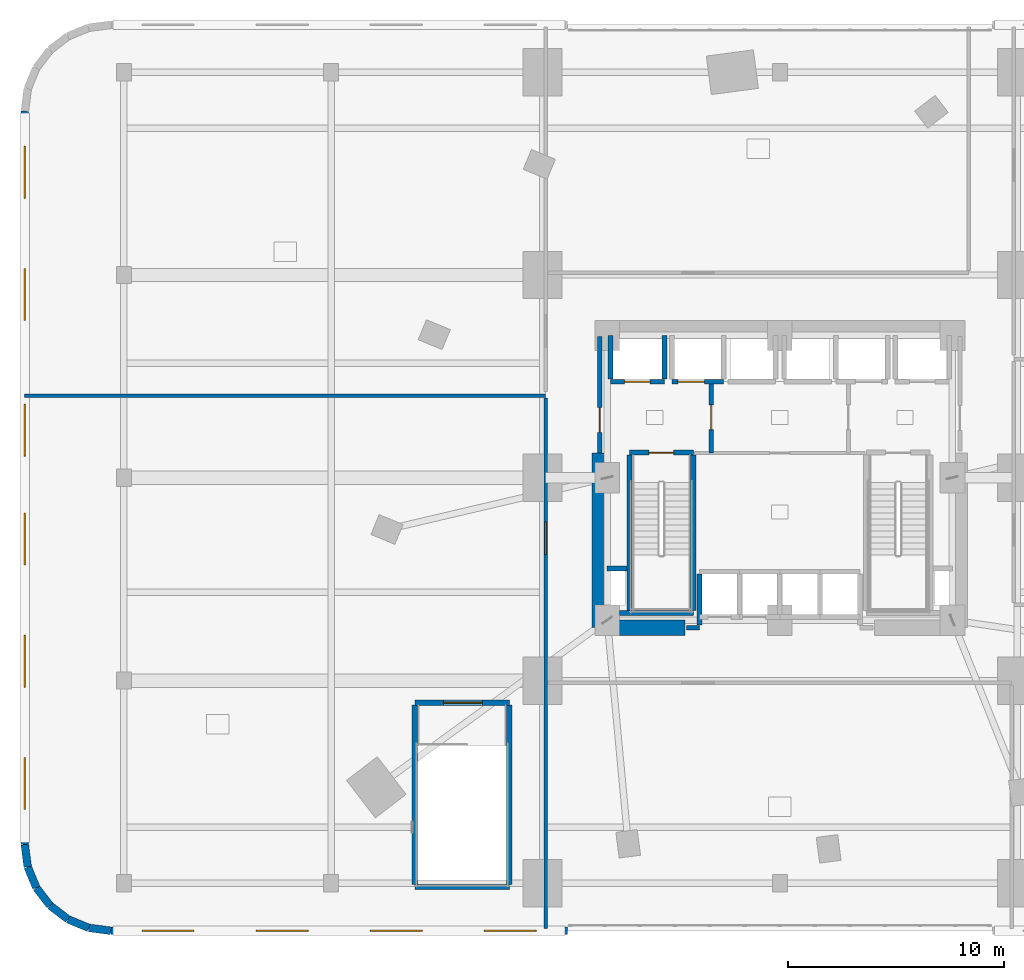
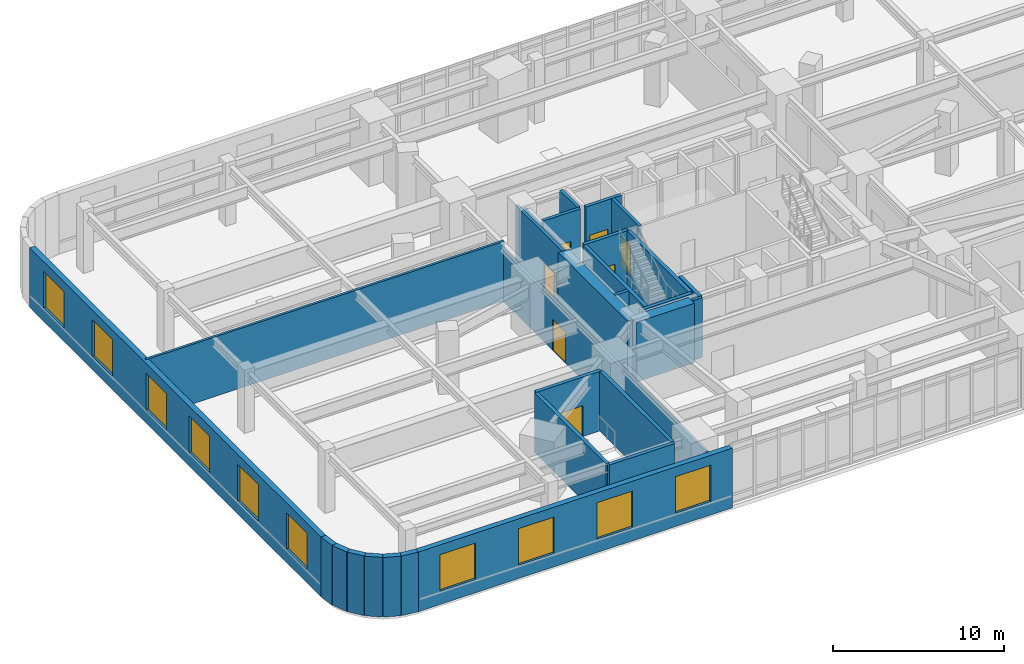
# One storey, part 14 of 20: 29 walls, 10 windows, 7 doors, 17 openings.
"""IFC4 building model written with IfcOpenShell, lengths in metres."""

import ifcopenshell
import ifcopenshell.guid

model = None  # the IFC model being written
_history = None  # IfcOwnerHistory: only IFC2X3 demands one
_inside = {}  # id of a spatial element -> (the spatial element, [elements in it])
_under = {}  # id of a project, library or spatial element -> (it, [spatial elements below it])
_declared = {}  # id of a project -> (the project, [libraries it declares])
_typed = {}  # id of a type object -> (the type object, [elements of that type])
_made_of = {}  # id of a material, layer set ... -> (it, [elements and type objects made of it])


def new_model(schema):
    """Start an empty IFC model of exactly this schema.

    Asked for "IFC4X3", IfcOpenShell would pick the latest addendum, in which some entities
    have other attributes; the version numbers below select the first issue.
    IFC2X3 requires an IfcOwnerHistory on every rooted entity: one is made here for all.
    """
    global model, _history
    if schema == "IFC4X3":
        model = ifcopenshell.file(schema_version=(4, 3, 0, 0))
    else:
        model = ifcopenshell.file(schema=schema)
    _inside.clear()
    _under.clear()
    _declared.clear()
    _typed.clear()
    _made_of.clear()
    _history = None
    if model.schema == "IFC2X3":
        org = make("IfcOrganization", Name="unknown")
        user = make(
            "IfcPersonAndOrganization",
            ThePerson=make("IfcPerson", FamilyName="unknown"),
            TheOrganization=org,
        )
        app = make(
            "IfcApplication",
            ApplicationDeveloper=org,
            Version="unknown",
            ApplicationFullName="unknown",
            ApplicationIdentifier="unknown",
        )
        _history = make(
            "IfcOwnerHistory",
            OwningUser=user,
            OwningApplication=app,
            ChangeAction="ADDED",
            CreationDate=0,
        )
    return model


def make(cls, **values):
    """One entity of the class cls with the attributes given. An attribute that is None is left unset."""
    return model.create_entity(
        cls, **{name: value for name, value in values.items() if value is not None}
    )


def rooted(cls, **values):
    """An entity with a GlobalId (a new one), such as an element, a storey or a relation."""
    return make(cls, GlobalId=ifcopenshell.guid.new(), OwnerHistory=_history, **values)


def si_unit(unit_type, name, prefix=None):
    """IfcSIUnit, for example si_unit("LENGTHUNIT", "METRE", prefix="MILLI")."""
    return make("IfcSIUnit", UnitType=unit_type, Prefix=prefix, Name=name)


def assignment(units):
    """IfcUnitAssignment: the units of a project."""
    return None if units is None else make("IfcUnitAssignment", Units=units)


def point(xyz):
    """IfcCartesianPoint."""
    return None if xyz is None else make("IfcCartesianPoint", Coordinates=xyz)


def direction(xyz):
    """IfcDirection."""
    return None if xyz is None else make("IfcDirection", DirectionRatios=xyz)


def frame(location, z_axis=None, x_axis=None):
    """IfcAxis2Placement3D, a coordinate frame: its origin and axes. An axis left out is left unset."""
    return make(
        "IfcAxis2Placement3D",
        Location=point(location),
        Axis=direction(z_axis),
        RefDirection=direction(x_axis),
    )


def frame_2d(location, x_axis=None):
    """IfcAxis2Placement2D, a coordinate frame in the plane: its origin and x axis."""
    return make(
        "IfcAxis2Placement2D", Location=point(location), RefDirection=direction(x_axis)
    )


def origin():
    """The frame at (0, 0, 0) with its axes left unset."""
    return frame((0.0, 0.0, 0.0))


def place(relative_to, where):
    """IfcLocalPlacement: puts the frame where relative to a parent placement (None: the world)."""
    return make(
        "IfcLocalPlacement", PlacementRelTo=relative_to, RelativePlacement=where
    )


def context(
    kind, dimensions, precision=None, world=None, true_north=None, identifier=None
):
    """IfcGeometricRepresentationContext, for example the 3D "Model" context."""
    return make(
        "IfcGeometricRepresentationContext",
        ContextIdentifier=identifier,
        ContextType=kind,
        CoordinateSpaceDimension=dimensions,
        Precision=precision,
        WorldCoordinateSystem=world,
        TrueNorth=true_north,
    )


def subcontext(parent, identifier, kind, view, scale=None):
    """IfcGeometricRepresentationSubContext, for example "Body" below "Model"."""
    return make(
        "IfcGeometricRepresentationSubContext",
        ContextIdentifier=identifier,
        ContextType=kind,
        ParentContext=parent,
        TargetScale=scale,
        TargetView=view,
    )


def project(units=None, contexts=None):
    """IfcProject with its units and contexts."""
    return rooted(
        "IfcProject",
        Name="project",
        RepresentationContexts=contexts,
        UnitsInContext=assignment(units),
    )


def spatial(cls, under=None, at=None, **own):
    """A site, building, storey or space (cls), placed at a placement, below another one or the project."""
    s = rooted(cls, ObjectPlacement=at, **own)
    if under is not None:
        _under.setdefault(under.id(), (under, []))[1].append(s)
    return s


def profile(cls, at=None, kind="AREA", **sizes):
    """A parametric profile (cls). Its sizes go by their IFC names, for example OverallWidth=200.0."""
    return make(cls, ProfileType=kind, Position=at, **sizes)


def rectangle(**sizes):
    """IfcRectangleProfileDef."""
    return profile("IfcRectangleProfileDef", **sizes)


def extrude(swept, where, along, depth):
    """IfcExtrudedAreaSolid: the profile swept, set in the frame where, extruded along a direction by depth."""
    return make(
        "IfcExtrudedAreaSolid",
        SweptArea=swept,
        Position=where,
        ExtrudedDirection=direction(along),
        Depth=depth,
    )


def shape(context_of_items, identifier, shape_type, items):
    """IfcShapeRepresentation: the items that make up one representation, for example the "Body"."""
    return make(
        "IfcShapeRepresentation",
        ContextOfItems=context_of_items,
        RepresentationIdentifier=identifier,
        RepresentationType=shape_type,
        Items=items,
    )


def material(Name=None, Category=None):
    """IfcMaterial."""
    return make("IfcMaterial", Name=Name, Category=Category)


def layer(
    of_material, thickness, ventilated=None, Name=None, Category=None, Priority=None
):
    """IfcMaterialLayer: one layer of a wall or slab, of a material (None: an air gap)."""
    return make(
        "IfcMaterialLayer",
        Material=of_material,
        LayerThickness=thickness,
        IsVentilated=ventilated,
        Name=Name,
        Category=Category,
        Priority=Priority,
    )


def layer_set(layers, Name=None):
    """IfcMaterialLayerSet."""
    return make("IfcMaterialLayerSet", MaterialLayers=layers, LayerSetName=Name)


def made_of(thing, what):
    """Note that an element or type object is made of a material, layer set ...; save() writes the relation."""
    if what is not None:
        _made_of.setdefault(what.id(), (what, []))[1].append(thing)
    return thing


def type_object(cls, material=None, **own):
    """A type object (cls), such as IfcWallType, which elements share."""
    return made_of(rooted(cls, **own), material)


def element(
    cls,
    number,
    at=None,
    inside=None,
    cuts=None,
    type_object=None,
    material=None,
    context=None,
    identifier="Body",
    shape_type=None,
    held_by="IfcProductDefinitionShape",
    body=None,
    shapes=None,
    **own,
):
    """One element of the class cls, such as IfcWall. Its Tag is "e" and its number.

    at: its placement. inside: the storey or other place that contains it. cuts: it is an
    opening in that element (IfcRelVoidsElement). A single representation is given by context,
    identifier, shape_type and body (its items); several are given by shapes. held_by: the class
    of the entity that holds the representations. save() writes the other relations.
    """
    e = rooted(cls, Tag="e%d" % number, ObjectPlacement=at, **own)
    if body is not None:
        shapes = [shape(context, identifier, shape_type, body)]
    if shapes is not None:
        e.Representation = make(held_by, Representations=shapes)
    if inside is not None:
        _inside.setdefault(inside.id(), (inside, []))[1].append(e)
    if cuts is not None:
        rooted(
            "IfcRelVoidsElement", RelatingBuildingElement=cuts, RelatedOpeningElement=e
        )
    if type_object is not None:
        _typed.setdefault(type_object.id(), (type_object, []))[1].append(e)
    return made_of(e, material)


def fill(opening, filler):
    """IfcRelFillsElement: the door or window that sits in an opening."""
    return rooted(
        "IfcRelFillsElement",
        RelatingOpeningElement=opening,
        RelatedBuildingElement=filler,
    )


def aggregate(whole, parts):
    """IfcRelAggregates: a whole, such as a stair, and the parts it consists of."""
    return rooted("IfcRelAggregates", RelatingObject=whole, RelatedObjects=parts)


def save(model, path):
    """Write the relations noted so far, then the file.

    IfcRelAggregates (storeys below a building ...), IfcRelContainedInSpatialStructure (elements
    in a storey), IfcRelDefinesByType, IfcRelAssociatesMaterial and IfcRelDeclares: one each for
    every whole, place, type object, material and project.
    """
    for whole, parts in _under.values():
        aggregate(whole, parts)
    for where, things in _inside.values():
        rooted(
            "IfcRelContainedInSpatialStructure",
            RelatedElements=things,
            RelatingStructure=where,
        )
    for kind, things in _typed.values():
        rooted("IfcRelDefinesByType", RelatedObjects=things, RelatingType=kind)
    for what, things in _made_of.values():
        rooted("IfcRelAssociatesMaterial", RelatedObjects=things, RelatingMaterial=what)
    for by, libraries in _declared.values():
        rooted("IfcRelDeclares", RelatingContext=by, RelatedDefinitions=libraries)
    model.write(path)


model = new_model("IFC4")

# Units and contexts
model_context = context("Model", 3, precision=1e-05, world=origin(), true_north=direction((0.0, 1.0)))
body_context = subcontext(model_context, "Body", "Model", "MODEL_VIEW")
ifc_project = project(units=[si_unit("LENGTHUNIT", "METRE"), si_unit("AREAUNIT", "SQUARE_METRE"), si_unit("VOLUMEUNIT", "CUBIC_METRE"), si_unit("PLANEANGLEUNIT", "RADIAN"), si_unit("MASSUNIT", "GRAM", prefix="KILO")], contexts=[model_context])

# Site, building, storey
site_placement = place(None, origin())
site = spatial("IfcSite", under=ifc_project, at=site_placement, CompositionType="ELEMENT")
building_placement = place(site_placement, origin())
building = spatial("IfcBuilding", under=site, at=building_placement, Name="Ndelora Gate Hotel", CompositionType="ELEMENT")
storey_placement = place(building_placement, frame((0.0, 0.0, 26.0)))
storey = spatial("IfcBuildingStorey", under=building, at=storey_placement, Name="L05", CompositionType="ELEMENT", Elevation=26.0)

# Wall, openings, windows
ifc_material_1 = material(Name="Clay Brick Masonry", Category="masonry")
ifc_layer_1 = layer(ifc_material_1, 0.360107421875)
ifc_layer_set_1 = layer_set([ifc_layer_1], Name="Clay Brick Masonry")
wall_type_1 = type_object("IfcWallType", Name="WL-BRICK-360", PredefinedType="SOLIDWALL", material=ifc_layer_set_1)
wall_1_placement = place(storey_placement, frame((-35.0, -17.0, 0.0), z_axis=(0.0, 0.0, 1.0), x_axis=(0.0, 1.0, 0.0)))
wall_1 = element("IfcWall", 1, at=wall_1_placement, inside=storey, type_object=wall_type_1, Name="L05 Exterior Brick Pier-and-Spandrel Wall 22", PredefinedType="SOLIDWALL", context=body_context, shape_type="SweptSolid", body=[
    extrude(rectangle(XDim=34.0, YDim=0.360107421875, at=frame_2d((17.0, 0.0))), origin(), (0.0, 0.0, 1.0), 4.25),
])
opening_1_placement = place(wall_1_placement, frame((1.63330078125, 0.0, 0.949951171875)))
opening_1 = element("IfcOpeningElement", 2, at=opening_1_placement, cuts=wall_1, Name="Opening W04", PredefinedType="OPENING", context=body_context, shape_type="SweptSolid", body=[
    extrude(rectangle(XDim=2.39990234375, YDim=2.60009765625, at=frame_2d((1.199951171875, 1.300048828125))), frame((0.0, 0.18994140625, 0.0), z_axis=(0.0, -1.0, 0.0), x_axis=(1.0, 0.0, 0.0)), (0.0, 0.0, 1.0), 0.380126953125),
])
opening_2_placement = place(wall_1_placement, frame((7.300048828125, 0.0, 0.949951171875)))
opening_2 = element("IfcOpeningElement", 3, at=opening_2_placement, cuts=wall_1, Name="Opening W04", PredefinedType="OPENING", context=body_context, shape_type="SweptSolid", body=[
    extrude(rectangle(XDim=2.39990234375, YDim=2.60009765625, at=frame_2d((1.199951171875, 1.300048828125))), frame((0.0, 0.18994140625, 0.0), z_axis=(0.0, -1.0, 0.0), x_axis=(1.0, 0.0, 0.0)), (0.0, 0.0, 1.0), 0.380126953125),
])
opening_3_placement = place(wall_1_placement, frame((12.966796875, 0.0, 0.949951171875)))
opening_3 = element("IfcOpeningElement", 4, at=opening_3_placement, cuts=wall_1, Name="Opening W04", PredefinedType="OPENING", context=body_context, shape_type="SweptSolid", body=[
    extrude(rectangle(XDim=2.39990234375, YDim=2.60009765625, at=frame_2d((1.199951171875, 1.300048828125))), frame((0.0, 0.18994140625, 0.0), z_axis=(0.0, -1.0, 0.0), x_axis=(1.0, 0.0, 0.0)), (0.0, 0.0, 1.0), 0.380126953125),
])
opening_4_placement = place(wall_1_placement, frame((18.0, 0.0, 0.949951171875)))
opening_4 = element("IfcOpeningElement", 5, at=opening_4_placement, cuts=wall_1, Name="Opening W04", PredefinedType="OPENING", context=body_context, shape_type="SweptSolid", body=[
    extrude(rectangle(XDim=2.39990234375, YDim=2.60009765625, at=frame_2d((1.199951171875, 1.300048828125))), frame((0.0, 0.18994140625, 0.0), z_axis=(0.0, -1.0, 0.0), x_axis=(1.0, 0.0, 0.0)), (0.0, 0.0, 1.0), 0.380126953125),
])
opening_5_placement = place(wall_1_placement, frame((24.300048828125, 0.0, 0.949951171875)))
opening_5 = element("IfcOpeningElement", 6, at=opening_5_placement, cuts=wall_1, Name="Opening W04", PredefinedType="OPENING", context=body_context, shape_type="SweptSolid", body=[
    extrude(rectangle(XDim=2.39990234375, YDim=2.60009765625, at=frame_2d((1.199951171875, 1.300048828125))), frame((0.0, 0.18994140625, 0.0), z_axis=(0.0, -1.0, 0.0), x_axis=(1.0, 0.0, 0.0)), (0.0, 0.0, 1.0), 0.380126953125),
])
opening_6_placement = place(wall_1_placement, frame((29.966796875, 0.0, 0.949951171875)))
opening_6 = element("IfcOpeningElement", 7, at=opening_6_placement, cuts=wall_1, Name="Opening W04", PredefinedType="OPENING", context=body_context, shape_type="SweptSolid", body=[
    extrude(rectangle(XDim=2.39990234375, YDim=2.60009765625, at=frame_2d((1.199951171875, 1.300048828125))), frame((0.0, 0.18994140625, 0.0), z_axis=(0.0, -1.0, 0.0), x_axis=(1.0, 0.0, 0.0)), (0.0, 0.0, 1.0), 0.380126953125),
])
ifc_material_2 = material(Name="Insulated Low-E Double Glazing in Bronze Aluminium Frame", Category="aluminium")
window_type = type_object("IfcWindowType", Name="WN-POD-2400", PartitioningType="SINGLE_PANEL", PredefinedType="WINDOW", material=ifc_material_2)
window_1_placement = place(opening_1_placement, origin())
window_1 = element("IfcWindow", 8, at=window_1_placement, inside=storey, type_object=window_type, Name="L05 Deep-Set Podium Brick-Frame Window W04", OverallHeight=2.60009765625, OverallWidth=2.39990234375, PartitioningType="SINGLE_PANEL", PredefinedType="WINDOW", context=body_context, shape_type="SweptSolid", body=[
    extrude(rectangle(XDim=2.39990234375, YDim=2.60009765625, at=frame_2d((1.199951171875, 1.300048828125))), frame((0.0, 0.030029296875, 0.0), z_axis=(0.0, -1.0, 0.0), x_axis=(1.0, 0.0, 0.0)), (0.0, 0.0, 1.0), 0.06005859375),
])
fill(opening_1, window_1)
window_2_placement = place(opening_2_placement, origin())
window_2 = element("IfcWindow", 9, at=window_2_placement, inside=storey, type_object=window_type, Name="L05 Deep-Set Podium Brick-Frame Window W04", OverallHeight=2.60009765625, OverallWidth=2.39990234375, PartitioningType="SINGLE_PANEL", PredefinedType="WINDOW", context=body_context, shape_type="SweptSolid", body=[
    extrude(rectangle(XDim=2.39990234375, YDim=2.60009765625, at=frame_2d((1.199951171875, 1.300048828125))), frame((0.0, 0.030029296875, 0.0), z_axis=(0.0, -1.0, 0.0), x_axis=(1.0, 0.0, 0.0)), (0.0, 0.0, 1.0), 0.06005859375),
])
fill(opening_2, window_2)
window_3_placement = place(opening_3_placement, origin())
window_3 = element("IfcWindow", 10, at=window_3_placement, inside=storey, type_object=window_type, Name="L05 Deep-Set Podium Brick-Frame Window W04", OverallHeight=2.60009765625, OverallWidth=2.39990234375, PartitioningType="SINGLE_PANEL", PredefinedType="WINDOW", context=body_context, shape_type="SweptSolid", body=[
    extrude(rectangle(XDim=2.39990234375, YDim=2.60009765625, at=frame_2d((1.199951171875, 1.300048828125))), frame((0.0, 0.030029296875, 0.0), z_axis=(0.0, -1.0, 0.0), x_axis=(1.0, 0.0, 0.0)), (0.0, 0.0, 1.0), 0.06005859375),
])
fill(opening_3, window_3)
window_4_placement = place(opening_4_placement, origin())
window_4 = element("IfcWindow", 11, at=window_4_placement, inside=storey, type_object=window_type, Name="L05 Deep-Set Podium Brick-Frame Window W04", OverallHeight=2.60009765625, OverallWidth=2.39990234375, PartitioningType="SINGLE_PANEL", PredefinedType="WINDOW", context=body_context, shape_type="SweptSolid", body=[
    extrude(rectangle(XDim=2.39990234375, YDim=2.60009765625, at=frame_2d((1.199951171875, 1.300048828125))), frame((0.0, 0.030029296875, 0.0), z_axis=(0.0, -1.0, 0.0), x_axis=(1.0, 0.0, 0.0)), (0.0, 0.0, 1.0), 0.06005859375),
])
fill(opening_4, window_4)
window_5_placement = place(opening_5_placement, origin())
window_5 = element("IfcWindow", 12, at=window_5_placement, inside=storey, type_object=window_type, Name="L05 Deep-Set Podium Brick-Frame Window W04", OverallHeight=2.60009765625, OverallWidth=2.39990234375, PartitioningType="SINGLE_PANEL", PredefinedType="WINDOW", context=body_context, shape_type="SweptSolid", body=[
    extrude(rectangle(XDim=2.39990234375, YDim=2.60009765625, at=frame_2d((1.199951171875, 1.300048828125))), frame((0.0, 0.030029296875, 0.0), z_axis=(0.0, -1.0, 0.0), x_axis=(1.0, 0.0, 0.0)), (0.0, 0.0, 1.0), 0.06005859375),
])
fill(opening_5, window_5)
window_6_placement = place(opening_6_placement, origin())
window_6 = element("IfcWindow", 13, at=window_6_placement, inside=storey, type_object=window_type, Name="L05 Deep-Set Podium Brick-Frame Window W04", OverallHeight=2.60009765625, OverallWidth=2.39990234375, PartitioningType="SINGLE_PANEL", PredefinedType="WINDOW", context=body_context, shape_type="SweptSolid", body=[
    extrude(rectangle(XDim=2.39990234375, YDim=2.60009765625, at=frame_2d((1.199951171875, 1.300048828125))), frame((0.0, 0.030029296875, 0.0), z_axis=(0.0, -1.0, 0.0), x_axis=(1.0, 0.0, 0.0)), (0.0, 0.0, 1.0), 0.06005859375),
])
fill(opening_6, window_6)

# Walls
wall_2_placement = place(storey_placement, frame((-34.86376953125, -18.035400390625, 0.0), z_axis=(0.0, 0.0, 1.0), x_axis=(-0.130448465198, 0.991455091231, 0.0)))
element("IfcWall", 14, at=wall_2_placement, inside=storey, type_object=wall_type_1, Name="L05 Exterior Brick Pier-and-Spandrel Wall 23", PredefinedType="SOLIDWALL", context=body_context, shape_type="SweptSolid", body=[
    extrude(rectangle(XDim=1.04443359375, YDim=0.360107421875, at=frame_2d((0.522216796875, 0.0))), origin(), (0.0, 0.0, 1.0), 4.25),
])
for number, where, z_axis, x_axis, name in (
    (15, (-34.464111328125, -19.0, 0.0), (0.0, 0.0, 1.0), (-0.382771688877, 0.923842970528, 0.0), "L05 Exterior Brick Pier-and-Spandrel Wall 24"),
    (16, (-33.828369140625, -19.828369140625, 0.0), (0.0, 0.0, 1.0), (-0.608829050876, 0.793301447628, 0.0), "L05 Exterior Brick Pier-and-Spandrel Wall 25"),
    (17, (-33.0, -20.464111328125, 0.0), (0.0, 0.0, 1.0), (-0.793301447628, 0.608829050876, 0.0), "L05 Exterior Brick Pier-and-Spandrel Wall 26"),
    (18, (-32.035400390625, -20.86376953125, 0.0), (0.0, 0.0, 1.0), (-0.923842970528, 0.382771688877, 0.0), "L05 Exterior Brick Pier-and-Spandrel Wall 27"),
):
    element("IfcWall", number, at=place(storey_placement, frame(where, z_axis=z_axis, x_axis=x_axis)), inside=storey, type_object=wall_type_1, Name=name, PredefinedType="SOLIDWALL", context=body_context, shape_type="SweptSolid", body=[
        extrude(rectangle(XDim=1.044189453125, YDim=0.360107421875, at=frame_2d((0.52197265625, 0.0))), origin(), (0.0, 0.0, 1.0), 4.25),
    ])
wall_3_placement = place(storey_placement, frame((-31.0, -21.0, 0.0), z_axis=(0.0, 0.0, 1.0), x_axis=(-0.991455091231, 0.130448465198, 0.0)))
element("IfcWall", 19, at=wall_3_placement, inside=storey, type_object=wall_type_1, Name="L05 Exterior Brick Pier-and-Spandrel Wall 28", PredefinedType="SOLIDWALL", context=body_context, shape_type="SweptSolid", body=[
    extrude(rectangle(XDim=1.04443359375, YDim=0.360107421875, at=frame_2d((0.522216796875, 0.0))), origin(), (0.0, 0.0, 1.0), 4.25),
])

# Wall, openings, windows
wall_4_placement = place(storey_placement, frame((-9.85009765625, -21.0, 0.0), z_axis=(0.0, 0.0, 1.0), x_axis=(-1.0, 0.0, 0.0)))
wall_4 = element("IfcWall", 20, at=wall_4_placement, inside=storey, type_object=wall_type_1, Name="L05 Exterior Brick Pier-and-Spandrel Wall 29", PredefinedType="SOLIDWALL", context=body_context, shape_type="SweptSolid", body=[
    extrude(rectangle(XDim=21.14990234375, YDim=0.360107421875, at=frame_2d((10.574951171875, 0.0))), origin(), (0.0, 0.0, 1.0), 4.25),
])
opening_7_placement = place(wall_4_placement, frame((1.443603515625, 0.0, 0.949951171875)))
opening_7 = element("IfcOpeningElement", 21, at=opening_7_placement, cuts=wall_4, Name="Opening W04", PredefinedType="OPENING", context=body_context, shape_type="SweptSolid", body=[
    extrude(rectangle(XDim=2.39990234375, YDim=2.60009765625, at=frame_2d((1.199951171875, 1.300048828125))), frame((0.0, 0.18994140625, 0.0), z_axis=(0.0, -1.0, 0.0), x_axis=(1.0, 0.0, 0.0)), (0.0, 0.0, 1.0), 0.380126953125),
])
opening_8_placement = place(wall_4_placement, frame((6.731201171875, 0.0, 0.949951171875)))
opening_8 = element("IfcOpeningElement", 22, at=opening_8_placement, cuts=wall_4, Name="Opening W04", PredefinedType="OPENING", context=body_context, shape_type="SweptSolid", body=[
    extrude(rectangle(XDim=2.39990234375, YDim=2.60009765625, at=frame_2d((1.199951171875, 1.300048828125))), frame((0.0, 0.18994140625, 0.0), z_axis=(0.0, -1.0, 0.0), x_axis=(1.0, 0.0, 0.0)), (0.0, 0.0, 1.0), 0.380126953125),
])
opening_9_placement = place(wall_4_placement, frame((12.018798828125, 0.0, 0.949951171875)))
opening_9 = element("IfcOpeningElement", 23, at=opening_9_placement, cuts=wall_4, Name="Opening W04", PredefinedType="OPENING", context=body_context, shape_type="SweptSolid", body=[
    extrude(rectangle(XDim=2.39990234375, YDim=2.60009765625, at=frame_2d((1.199951171875, 1.300048828125))), frame((0.0, 0.18994140625, 0.0), z_axis=(0.0, -1.0, 0.0), x_axis=(1.0, 0.0, 0.0)), (0.0, 0.0, 1.0), 0.380126953125),
])
opening_10_placement = place(wall_4_placement, frame((17.30615234375, 0.0, 0.949951171875)))
opening_10 = element("IfcOpeningElement", 24, at=opening_10_placement, cuts=wall_4, Name="Opening W04", PredefinedType="OPENING", context=body_context, shape_type="SweptSolid", body=[
    extrude(rectangle(XDim=2.39990234375, YDim=2.60009765625, at=frame_2d((1.199951171875, 1.300048828125))), frame((0.0, 0.18994140625, 0.0), z_axis=(0.0, -1.0, 0.0), x_axis=(1.0, 0.0, 0.0)), (0.0, 0.0, 1.0), 0.380126953125),
])
window_7_placement = place(opening_7_placement, origin())
window_7 = element("IfcWindow", 25, at=window_7_placement, inside=storey, type_object=window_type, Name="L05 Deep-Set Podium Brick-Frame Window W04", OverallHeight=2.60009765625, OverallWidth=2.39990234375, PartitioningType="SINGLE_PANEL", PredefinedType="WINDOW", context=body_context, shape_type="SweptSolid", body=[
    extrude(rectangle(XDim=2.39990234375, YDim=2.60009765625, at=frame_2d((1.199951171875, 1.300048828125))), frame((0.0, 0.030029296875, 0.0), z_axis=(0.0, -1.0, 0.0), x_axis=(1.0, 0.0, 0.0)), (0.0, 0.0, 1.0), 0.06005859375),
])
fill(opening_7, window_7)
window_8_placement = place(opening_8_placement, origin())
window_8 = element("IfcWindow", 26, at=window_8_placement, inside=storey, type_object=window_type, Name="L05 Deep-Set Podium Brick-Frame Window W04", OverallHeight=2.60009765625, OverallWidth=2.39990234375, PartitioningType="SINGLE_PANEL", PredefinedType="WINDOW", context=body_context, shape_type="SweptSolid", body=[
    extrude(rectangle(XDim=2.39990234375, YDim=2.60009765625, at=frame_2d((1.199951171875, 1.300048828125))), frame((0.0, 0.030029296875, 0.0), z_axis=(0.0, -1.0, 0.0), x_axis=(1.0, 0.0, 0.0)), (0.0, 0.0, 1.0), 0.06005859375),
])
fill(opening_8, window_8)
window_9_placement = place(opening_9_placement, origin())
window_9 = element("IfcWindow", 27, at=window_9_placement, inside=storey, type_object=window_type, Name="L05 Deep-Set Podium Brick-Frame Window W04", OverallHeight=2.60009765625, OverallWidth=2.39990234375, PartitioningType="SINGLE_PANEL", PredefinedType="WINDOW", context=body_context, shape_type="SweptSolid", body=[
    extrude(rectangle(XDim=2.39990234375, YDim=2.60009765625, at=frame_2d((1.199951171875, 1.300048828125))), frame((0.0, 0.030029296875, 0.0), z_axis=(0.0, -1.0, 0.0), x_axis=(1.0, 0.0, 0.0)), (0.0, 0.0, 1.0), 0.06005859375),
])
fill(opening_9, window_9)
window_10_placement = place(opening_10_placement, origin())
window_10 = element("IfcWindow", 28, at=window_10_placement, inside=storey, type_object=window_type, Name="L05 Deep-Set Podium Brick-Frame Window W04", OverallHeight=2.60009765625, OverallWidth=2.39990234375, PartitioningType="SINGLE_PANEL", PredefinedType="WINDOW", context=body_context, shape_type="SweptSolid", body=[
    extrude(rectangle(XDim=2.39990234375, YDim=2.60009765625, at=frame_2d((1.199951171875, 1.300048828125))), frame((0.0, 0.030029296875, 0.0), z_axis=(0.0, -1.0, 0.0), x_axis=(1.0, 0.0, 0.0)), (0.0, 0.0, 1.0), 0.06005859375),
])
fill(opening_10, window_10)

# Walls
ifc_material_3 = material(Name="Concrete C60/75", Category="concrete")
ifc_layer_2 = layer(ifc_material_3, 0.699951171875)
ifc_layer_set_2 = layer_set([ifc_layer_2], Name="Concrete C60/75")
wall_type_2 = type_object("IfcWallType", Name="WL-CORE-700", PredefinedType="SHEAR", material=ifc_layer_set_2)
wall_5_placement = place(storey_placement, frame((-8.35009765625, -6.949951171875, 0.0), z_axis=(0.0, 0.0, 1.0), x_axis=(1.0, 0.0, 0.0)))
element("IfcWall", 29, at=wall_5_placement, inside=storey, type_object=wall_type_2, Name="L05 Core Shear Wall S-W", PredefinedType="SHEAR", context=body_context, shape_type="SweptSolid", body=[
    extrude(rectangle(XDim=3.9501953125, YDim=0.699951171875, at=frame_2d((1.97509765625, 0.0))), origin(), (0.0, 0.0, 1.0), 4.25),
])
wall_6_placement = place(storey_placement, frame((-8.35009765625, -6.949951171875, 0.0), z_axis=(0.0, 0.0, 1.0), x_axis=(0.0, 1.0, 0.0)))
element("IfcWall", 30, at=wall_6_placement, inside=storey, type_object=wall_type_2, Name="L05 Core Shear Wall W", PredefinedType="SHEAR", context=body_context, shape_type="SweptSolid", body=[
    extrude(rectangle(XDim=8.099853515625, YDim=0.699951171875, at=frame_2d((4.0498046875, 0.0))), origin(), (0.0, 0.0, 1.0), 4.25),
])

# Wall, opening, door
ifc_material_4 = material(Name="Concrete C40/50", Category="concrete")
ifc_layer_3 = layer(ifc_material_4, 0.199951171875)
ifc_layer_set_3 = layer_set([ifc_layer_3], Name="Concrete C40/50")
wall_type_3 = type_object("IfcWallType", Name="WL-FIRE-200", PredefinedType="PARTITIONING", material=ifc_layer_set_3)
wall_7_placement = place(storey_placement, frame((-3.179931640625, 1.14990234375, 0.0), z_axis=(0.0, 0.0, 1.0), x_axis=(0.0, 1.0, 0.0)))
wall_7 = element("IfcWall", 31, at=wall_7_placement, inside=storey, type_object=wall_type_3, Name="L05 Interior Wall IW-2", PredefinedType="PARTITIONING", context=body_context, shape_type="SweptSolid", body=[
    extrude(rectangle(XDim=3.300048828125, YDim=0.199951171875, at=frame_2d((1.64990234375, 0.0))), origin(), (0.0, 0.0, 1.0), 4.25),
])
opening_11_placement = place(wall_7_placement, frame((1.080078125, 0.0, 0.0)))
opening_11 = element("IfcOpeningElement", 32, at=opening_11_placement, cuts=wall_7, Name="Opening FD1", PredefinedType="OPENING", context=body_context, shape_type="SweptSolid", body=[
    extrude(rectangle(XDim=1.14990234375, YDim=2.14990234375, at=frame_2d((0.574951171875, 1.074951171875))), frame((0.0, 0.10986328125, 0.0), z_axis=(0.0, -1.0, 0.0), x_axis=(1.0, 0.0, 0.0)), (0.0, 0.0, 1.0), 0.219970703125),
])
ifc_material_5 = material(Name="Fire-Rated Timber-Veneer Steel Core", Category="steel")
door_type_1 = type_object("IfcDoorType", Name="DR-FD60", OperationType="SINGLE_SWING_LEFT", PredefinedType="DOOR", material=ifc_material_5)
door_1_placement = place(opening_11_placement, origin())
door_1 = element("IfcDoor", 33, at=door_1_placement, inside=storey, type_object=door_type_1, Name="L05 Firefighting Lobby West Door", OperationType="SINGLE_SWING_RIGHT", OverallHeight=2.14990234375, OverallWidth=1.14990234375, PredefinedType="DOOR", context=body_context, shape_type="SweptSolid", body=[
    extrude(rectangle(XDim=1.14990234375, YDim=2.14990234375, at=frame_2d((0.574951171875, 1.074951171875))), frame((0.0, 0.02490234375, 0.0), z_axis=(0.0, -1.0, 0.0), x_axis=(1.0, 0.0, 0.0)), (0.0, 0.0, 1.0), 0.050048828125),
])
fill(opening_11, door_1)

wall_8_placement = place(storey_placement, frame((-8.35009765625, 1.14990234375, 0.0), z_axis=(0.0, 0.0, 1.0), x_axis=(0.0, 1.0, 0.0)))
wall_8 = element("IfcWall", 34, at=wall_8_placement, inside=storey, type_object=wall_type_3, Name="L05 Interior Wall IW-2", PredefinedType="PARTITIONING", context=body_context, shape_type="SweptSolid", body=[
    extrude(rectangle(XDim=5.400146484375, YDim=0.199951171875, at=frame_2d((2.7001953125, 0.0))), origin(), (0.0, 0.0, 1.0), 4.25),
])
opening_12_placement = place(wall_8_placement, frame((0.949951171875, 0.0, 0.0)))
opening_12 = element("IfcOpeningElement", 35, at=opening_12_placement, cuts=wall_8, Name="Opening FD1", PredefinedType="OPENING", context=body_context, shape_type="SweptSolid", body=[
    extrude(rectangle(XDim=1.14990234375, YDim=2.14990234375, at=frame_2d((0.574951171875, 1.074951171875))), frame((0.0, 0.10986328125, 0.0), z_axis=(0.0, -1.0, 0.0), x_axis=(1.0, 0.0, 0.0)), (0.0, 0.0, 1.0), 0.219970703125),
])
door_2_placement = place(opening_12_placement, origin())
door_2 = element("IfcDoor", 36, at=door_2_placement, inside=storey, type_object=door_type_1, Name="L05 Firefighting Lobby West Corridor Door", OperationType="SINGLE_SWING_LEFT", OverallHeight=2.14990234375, OverallWidth=1.14990234375, PredefinedType="DOOR", context=body_context, shape_type="SweptSolid", body=[
    extrude(rectangle(XDim=1.14990234375, YDim=2.14990234375, at=frame_2d((0.574951171875, 1.074951171875))), frame((0.0, 0.02490234375, 0.0), z_axis=(0.0, -1.0, 0.0), x_axis=(1.0, 0.0, 0.0)), (0.0, 0.0, 1.0), 0.050048828125),
])
fill(opening_12, door_2)

# Walls
wall_9_placement = place(storey_placement, frame((-4.320068359375, -6.949951171875, 0.0), z_axis=(0.0, 0.0, 1.0), x_axis=(1.0, 0.0, 0.0)))
element("IfcWall", 37, at=wall_9_placement, inside=storey, type_object=wall_type_3, Name="L05 Interior Wall IW-2", PredefinedType="PARTITIONING", context=body_context, shape_type="SweptSolid", body=[
    extrude(rectangle(XDim=0.60009765625, YDim=0.199951171875, at=frame_2d((0.300048828125, 0.0))), origin(), (0.0, 0.0, 1.0), 4.25),
])
ifc_material_6 = material(Name="Fire-Rated Gypsum Stud Partition", Category="gypsum")
ifc_layer_4 = layer(ifc_material_6, 0.159912109375)
ifc_layer_set_4 = layer_set([ifc_layer_4], Name="Fire-Rated Gypsum Stud Partition")
wall_type_4 = type_object("IfcWallType", Name="WL-PART-160", PredefinedType="PARTITIONING", material=ifc_layer_set_4)
wall_10_placement = place(storey_placement, frame((-10.85009765625, 3.800048828125, 0.0), z_axis=(0.0, 0.0, 1.0), x_axis=(-1.0, 0.0, 0.0)))
element("IfcWall", 38, at=wall_10_placement, inside=storey, type_object=wall_type_4, Name="L05 Interior Wall IW-4", PredefinedType="PARTITIONING", context=body_context, shape_type="SweptSolid", body=[
    extrude(rectangle(XDim=24.14990234375, YDim=0.159912109375, at=frame_2d((12.074951171875, 0.0))), origin(), (0.0, 0.0, 1.0), 4.25),
])

# Wall, opening, door
wall_11_placement = place(storey_placement, frame((-10.85009765625, -20.89990234375, 0.0), z_axis=(0.0, 0.0, 1.0), x_axis=(0.0, 1.0, 0.0)))
wall_11 = element("IfcWall", 39, at=wall_11_placement, inside=storey, type_object=wall_type_4, Name="L05 Interior Wall IW-4", PredefinedType="PARTITIONING", context=body_context, shape_type="SweptSolid", body=[
    extrude(rectangle(XDim=24.599853515625, YDim=0.159912109375, at=frame_2d((12.2998046875, 0.0))), origin(), (0.0, 0.0, 1.0), 3.6201171875),
])
opening_13_placement = place(wall_11_placement, frame((17.35009765625, 0.0, 0.0)))
opening_13 = element("IfcOpeningElement", 40, at=opening_13_placement, cuts=wall_11, Name="Opening D06", PredefinedType="OPENING", context=body_context, shape_type="SweptSolid", body=[
    extrude(rectangle(XDim=1.5, YDim=2.199951171875, at=frame_2d((0.75, 1.10009765625))), frame((0.0, 0.08984375, 0.0), z_axis=(0.0, -1.0, 0.0), x_axis=(1.0, 0.0, 0.0)), (0.0, 0.0, 1.0), 0.179931640625),
])
ifc_material_7 = material(Name="Podium Salon Double Leaf Door", Category="wood")
door_type_2 = type_object("IfcDoorType", Name="DR-POD-1500", OperationType="DOUBLE_DOOR_SINGLE_SWING", PredefinedType="DOOR", material=ifc_material_7)
door_3_placement = place(opening_13_placement, origin())
door_3 = element("IfcDoor", 41, at=door_3_placement, inside=storey, type_object=door_type_2, Name="L05 Karura Conference Hall West Door", OperationType="DOUBLE_DOOR_SINGLE_SWING", OverallHeight=2.199951171875, OverallWidth=1.5, PredefinedType="DOOR", context=body_context, shape_type="SweptSolid", body=[
    extrude(rectangle(XDim=1.5, YDim=2.199951171875, at=frame_2d((0.75, 1.10009765625))), frame((0.0, 0.02490234375, 0.0), z_axis=(0.0, -1.0, 0.0), x_axis=(1.0, 0.0, 0.0)), (0.0, 0.0, 1.0), 0.050048828125),
])
fill(opening_13, door_3)

# Wall
ifc_layer_5 = layer(ifc_material_4, 0.219970703125)
ifc_layer_set_5 = layer_set([ifc_layer_5], Name="Concrete C40/50")
wall_type_5 = type_object("IfcWallType", Name="WL-SHAFT-220", PredefinedType="PARTITIONING", material=ifc_layer_set_5)
wall_12_placement = place(storey_placement, frame((-8.0, -4.199951171875, 0.0), z_axis=(0.0, 0.0, 1.0), x_axis=(1.0, 0.0, 0.0)))
element("IfcWall", 42, at=wall_12_placement, inside=storey, type_object=wall_type_5, Name="L05 Interior Wall IW-1", PredefinedType="PARTITIONING", context=body_context, shape_type="SweptSolid", body=[
    extrude(rectangle(XDim=0.909912109375, YDim=0.219970703125, at=frame_2d((0.455078125, 0.0))), origin(), (0.0, 0.0, 1.0), 4.25),
])

# Wall, opening, door
wall_13_placement = place(storey_placement, frame((-7.85009765625, 4.449951171875, 0.0), z_axis=(0.0, 0.0, 1.0), x_axis=(1.0, 0.0, 0.0)))
wall_13 = element("IfcWall", 43, at=wall_13_placement, inside=storey, type_object=wall_type_5, Name="L05 Interior Wall IW-1", PredefinedType="PARTITIONING", context=body_context, shape_type="SweptSolid", body=[
    extrude(rectangle(XDim=2.5, YDim=0.219970703125, at=frame_2d((1.25, 0.0))), origin(), (0.0, 0.0, 1.0), 4.25),
])
opening_14_placement = place(wall_13_placement, frame((0.659912109375, 0.0, 0.0)))
opening_14 = element("IfcOpeningElement", 44, at=opening_14_placement, cuts=wall_13, Name="Opening LD5", PredefinedType="OPENING", context=body_context, shape_type="SweptSolid", body=[
    extrude(rectangle(XDim=1.179931640625, YDim=2.14990234375, at=frame_2d((0.58984375, 1.074951171875))), frame((0.0, 0.1201171875, 0.0), z_axis=(0.0, -1.0, 0.0), x_axis=(1.0, 0.0, 0.0)), (0.0, 0.0, 1.0), 0.239990234375),
])
ifc_material_8 = material(Name="Firefighting Lift Stainless Sliding Landing Door", Category="metal")
door_type_3 = type_object("IfcDoorType", Name="DR-LD5", OperationType="DOUBLE_DOOR_SLIDING", PredefinedType="DOOR", material=ifc_material_8)
door_4_placement = place(opening_14_placement, origin())
door_4 = element("IfcDoor", 45, at=door_4_placement, inside=storey, type_object=door_type_3, Name="L05 Lift Landing Sliding Door FFL1", OperationType="DOUBLE_DOOR_SLIDING", OverallHeight=2.14990234375, OverallWidth=1.179931640625, PredefinedType="DOOR", context=body_context, shape_type="SweptSolid", body=[
    extrude(rectangle(XDim=1.179931640625, YDim=2.14990234375, at=frame_2d((0.58984375, 1.074951171875))), frame((0.0, 0.02490234375, 0.0), z_axis=(0.0, -1.0, 0.0), x_axis=(1.0, 0.0, 0.0)), (0.0, 0.0, 1.0), 0.050048828125),
])
fill(opening_14, door_4)

# Walls
wall_14_placement = place(storey_placement, frame((-7.85009765625, 4.570068359375, 0.0), z_axis=(0.0, 0.0, 1.0), x_axis=(0.0, 1.0, 0.0)))
element("IfcWall", 46, at=wall_14_placement, inside=storey, type_object=wall_type_5, Name="L05 Interior Wall IW-1", PredefinedType="PARTITIONING", context=body_context, shape_type="SweptSolid", body=[
    extrude(rectangle(XDim=2.030029296875, YDim=0.219970703125, at=frame_2d((1.01513671875, 0.0))), origin(), (0.0, 0.0, 1.0), 3.830078125),
])
wall_15_placement = place(storey_placement, frame((-5.35009765625, 4.570068359375, 0.0), z_axis=(0.0, 0.0, 1.0), x_axis=(0.0, 1.0, 0.0)))
element("IfcWall", 47, at=wall_15_placement, inside=storey, type_object=wall_type_5, Name="L05 Interior Wall IW-1", PredefinedType="PARTITIONING", context=body_context, shape_type="SweptSolid", body=[
    extrude(rectangle(XDim=2.030029296875, YDim=0.219970703125, at=frame_2d((1.01513671875, 0.0))), origin(), (0.0, 0.0, 1.0), 4.25),
])

# Wall, opening, door
wall_16_placement = place(storey_placement, frame((-5.0, 4.449951171875, 0.0), z_axis=(0.0, 0.0, 1.0), x_axis=(1.0, 0.0, 0.0)))
wall_16 = element("IfcWall", 48, at=wall_16_placement, inside=storey, type_object=wall_type_5, Name="L05 Interior Wall IW-1", PredefinedType="PARTITIONING", context=body_context, shape_type="SweptSolid", body=[
    extrude(rectangle(XDim=2.39990234375, YDim=0.219970703125, at=frame_2d((1.199951171875, 0.0))), origin(), (0.0, 0.0, 1.0), 4.25),
])
opening_15_placement = place(wall_16_placement, frame((0.280029296875, 0.0, 0.0)))
opening_15 = element("IfcOpeningElement", 49, at=opening_15_placement, cuts=wall_16, Name="Opening LD6", PredefinedType="OPENING", context=body_context, shape_type="SweptSolid", body=[
    extrude(rectangle(XDim=1.219970703125, YDim=2.14990234375, at=frame_2d((0.60986328125, 1.074951171875))), frame((0.0, 0.1201171875, 0.0), z_axis=(0.0, -1.0, 0.0), x_axis=(1.0, 0.0, 0.0)), (0.0, 0.0, 1.0), 0.239990234375),
])
ifc_material_9 = material(Name="Heavy-Duty Service Lift Sliding Landing Door", Category="wood")
door_type_4 = type_object("IfcDoorType", Name="DR-LD6", OperationType="DOUBLE_DOOR_SLIDING", PredefinedType="DOOR", material=ifc_material_9)
door_5_placement = place(opening_15_placement, origin())
door_5 = element("IfcDoor", 50, at=door_5_placement, inside=storey, type_object=door_type_4, Name="L05 Lift Landing Sliding Door SVL1", OperationType="DOUBLE_DOOR_SLIDING", OverallHeight=2.14990234375, OverallWidth=1.219970703125, PredefinedType="DOOR", context=body_context, shape_type="SweptSolid", body=[
    extrude(rectangle(XDim=1.219970703125, YDim=2.14990234375, at=frame_2d((0.60986328125, 1.074951171875))), frame((0.0, 0.02490234375, 0.0), z_axis=(0.0, -1.0, 0.0), x_axis=(1.0, 0.0, 0.0)), (0.0, 0.0, 1.0), 0.050048828125),
])
fill(opening_15, door_5)

# Walls
wall_17_placement = place(storey_placement, frame((-3.719970703125, -6.830078125, 0.0), z_axis=(0.0, 0.0, 1.0), x_axis=(0.0, 1.0, 0.0)))
element("IfcWall", 51, at=wall_17_placement, inside=storey, type_object=wall_type_5, Name="L05 Interior Wall IW-1", PredefinedType="PARTITIONING", context=body_context, shape_type="SweptSolid", body=[
    extrude(rectangle(XDim=2.360107421875, YDim=0.219970703125, at=frame_2d((1.18017578125, 0.0))), origin(), (0.0, 0.0, 1.0), 4.25),
])
ifc_material_10 = material(Name="Concrete C50/60", Category="concrete")
ifc_layer_6 = layer(ifc_material_10, 0.239990234375)
ifc_layer_set_6 = layer_set([ifc_layer_6], Name="Concrete C50/60")
wall_type_6 = type_object("IfcWallType", Name="WL-STAIR-240", PredefinedType="SHEAR", material=ifc_layer_set_6)
wall_18_placement = place(storey_placement, frame((-6.969970703125, -6.159912109375, 0.0), z_axis=(0.0, 0.0, 1.0), x_axis=(0.0, 1.0, 0.0)))
element("IfcWall", 52, at=wall_18_placement, inside=storey, type_object=wall_type_6, Name="L05 Stair Core Shear Wall SW-ST", PredefinedType="SHEAR", context=body_context, shape_type="SweptSolid", body=[
    extrude(rectangle(XDim=7.219970703125, YDim=0.239990234375, at=frame_2d((3.60986328125, 0.0))), origin(), (0.0, 0.0, 1.0), 4.25),
])
wall_19_placement = place(storey_placement, frame((-7.425048828125, -6.27001953125, 0.0), z_axis=(0.0, 0.0, 1.0), x_axis=(1.0, 0.0, 0.0)))
element("IfcWall", 53, at=wall_19_placement, inside=storey, type_object=wall_type_6, Name="L05 Stair Core Shear Wall SW-ST", PredefinedType="SHEAR", context=body_context, shape_type="SweptSolid", body=[
    extrude(rectangle(XDim=3.4150390625, YDim=0.239990234375, at=frame_2d((1.70751953125, 0.0))), origin(), (0.0, 0.0, 1.0), 4.25),
])
wall_20_placement = place(storey_placement, frame((-4.010009765625, -6.159912109375, 0.0), z_axis=(0.0, 0.0, 1.0), x_axis=(0.0, 1.0, 0.0)))
element("IfcWall", 54, at=wall_20_placement, inside=storey, type_object=wall_type_6, Name="L05 Stair Core Shear Wall SW-ST", PredefinedType="SHEAR", context=body_context, shape_type="SweptSolid", body=[
    extrude(rectangle(XDim=7.219970703125, YDim=0.239990234375, at=frame_2d((3.60986328125, 0.0))), origin(), (0.0, 0.0, 1.0), 4.25),
])

# Wall, opening, door
wall_21_placement = place(storey_placement, frame((-6.969970703125, 1.169921875, 0.0), z_axis=(0.0, 0.0, 1.0), x_axis=(1.0, 0.0, 0.0)))
wall_21 = element("IfcWall", 55, at=wall_21_placement, inside=storey, type_object=wall_type_6, Name="L05 Stair Core Shear Wall SW-ST", PredefinedType="SHEAR", context=body_context, shape_type="SweptSolid", body=[
    extrude(rectangle(XDim=2.9599609375, YDim=0.239990234375, at=frame_2d((1.47998046875, 0.0))), origin(), (0.0, 0.0, 1.0), 4.25),
])
opening_16_placement = place(wall_21_placement, frame((0.89990234375, 0.0, 0.0)))
opening_16 = element("IfcOpeningElement", 56, at=opening_16_placement, cuts=wall_21, Name="Opening FD1", PredefinedType="OPENING", context=body_context, shape_type="SweptSolid", body=[
    extrude(rectangle(XDim=1.14990234375, YDim=2.14990234375, at=frame_2d((0.574951171875, 1.074951171875))), frame((0.0, 0.1298828125, 0.0), z_axis=(0.0, -1.0, 0.0), x_axis=(1.0, 0.0, 0.0)), (0.0, 0.0, 1.0), 0.260009765625),
])
door_6_placement = place(opening_16_placement, origin())
door_6 = element("IfcDoor", 57, at=door_6_placement, inside=storey, type_object=door_type_1, Name="L05 Exit Stair ST4 Door", OperationType="SINGLE_SWING_LEFT", OverallHeight=2.14990234375, OverallWidth=1.14990234375, PredefinedType="DOOR", context=body_context, shape_type="SweptSolid", body=[
    extrude(rectangle(XDim=1.14990234375, YDim=2.14990234375, at=frame_2d((0.574951171875, 1.074951171875))), frame((0.0, 0.02490234375, 0.0), z_axis=(0.0, -1.0, 0.0), x_axis=(1.0, 0.0, 0.0)), (0.0, 0.0, 1.0), 0.050048828125),
])
fill(opening_16, door_6)

# Walls
for number, where, z_axis, x_axis, name in (
    (58, (-16.919921875, -18.860107421875, 0.0), (0.0, 0.0, 1.0), (0.0, 1.0, 0.0), "L05 Stair Core Shear Wall SW-ST"),
    (59, (-12.5400390625, -18.860107421875, 0.0), (0.0, 0.0, 1.0), (0.0, 1.0, 0.0), "L05 Stair Core Shear Wall SW-ST"),
):
    element("IfcWall", number, at=place(storey_placement, frame(where, z_axis=z_axis, x_axis=x_axis)), inside=storey, type_object=wall_type_6, Name=name, PredefinedType="SHEAR", context=body_context, shape_type="SweptSolid", body=[
        extrude(rectangle(XDim=8.320068359375, YDim=0.239990234375, at=frame_2d((4.16015625, 0.0))), origin(), (0.0, 0.0, 1.0), 4.25),
    ])
wall_22_placement = place(storey_placement, frame((-16.919921875, -18.969970703125, 0.0), z_axis=(0.0, 0.0, 1.0), x_axis=(1.0, 0.0, 0.0)))
element("IfcWall", 60, at=wall_22_placement, inside=storey, type_object=wall_type_6, Name="L05 Stair Core Shear Wall SW-ST", PredefinedType="SHEAR", context=body_context, shape_type="SweptSolid", body=[
    extrude(rectangle(XDim=4.3798828125, YDim=0.239990234375, at=frame_2d((2.18994140625, 0.0))), origin(), (0.0, 0.0, 1.0), 4.25),
])

# Wall, opening, door
wall_23_placement = place(storey_placement, frame((-12.5400390625, -10.429931640625, 0.0), z_axis=(0.0, 0.0, 1.0), x_axis=(-1.0, 0.0, 0.0)))
wall_23 = element("IfcWall", 61, at=wall_23_placement, inside=storey, type_object=wall_type_6, Name="L05 Stair Core Shear Wall SW-ST", PredefinedType="SHEAR", context=body_context, shape_type="SweptSolid", body=[
    extrude(rectangle(XDim=4.3798828125, YDim=0.239990234375, at=frame_2d((2.18994140625, 0.0))), origin(), (0.0, 0.0, 1.0), 4.25),
])
opening_17_placement = place(wall_23_placement, frame((1.25, 0.0, 0.0)))
opening_17 = element("IfcOpeningElement", 62, at=opening_17_placement, cuts=wall_23, Name="Opening FD2", PredefinedType="OPENING", context=body_context, shape_type="SweptSolid", body=[
    extrude(rectangle(XDim=1.800048828125, YDim=2.199951171875, at=frame_2d((0.89990234375, 1.10009765625))), frame((0.0, 0.1298828125, 0.0), z_axis=(0.0, -1.0, 0.0), x_axis=(1.0, 0.0, 0.0)), (0.0, 0.0, 1.0), 0.260009765625),
])
ifc_material_11 = material(Name="Fire-Rated Double Exit Door", Category="wood")
door_type_5 = type_object("IfcDoorType", Name="DR-DBL-1800", OperationType="DOUBLE_DOOR_SINGLE_SWING", PredefinedType="DOOR", material=ifc_material_11)
door_7_placement = place(opening_17_placement, origin())
door_7 = element("IfcDoor", 63, at=door_7_placement, inside=storey, type_object=door_type_5, Name="L05 Ballroom Stair ST3A Door", OperationType="DOUBLE_DOOR_SINGLE_SWING", OverallHeight=2.199951171875, OverallWidth=1.800048828125, PredefinedType="DOOR", context=body_context, shape_type="SweptSolid", body=[
    extrude(rectangle(XDim=1.800048828125, YDim=2.199951171875, at=frame_2d((0.89990234375, 1.10009765625))), frame((0.0, 0.02490234375, 0.0), z_axis=(0.0, -1.0, 0.0), x_axis=(1.0, 0.0, 0.0)), (0.0, 0.0, 1.0), 0.050048828125),
])
fill(opening_17, door_7)

save(model, "model.ifc")
